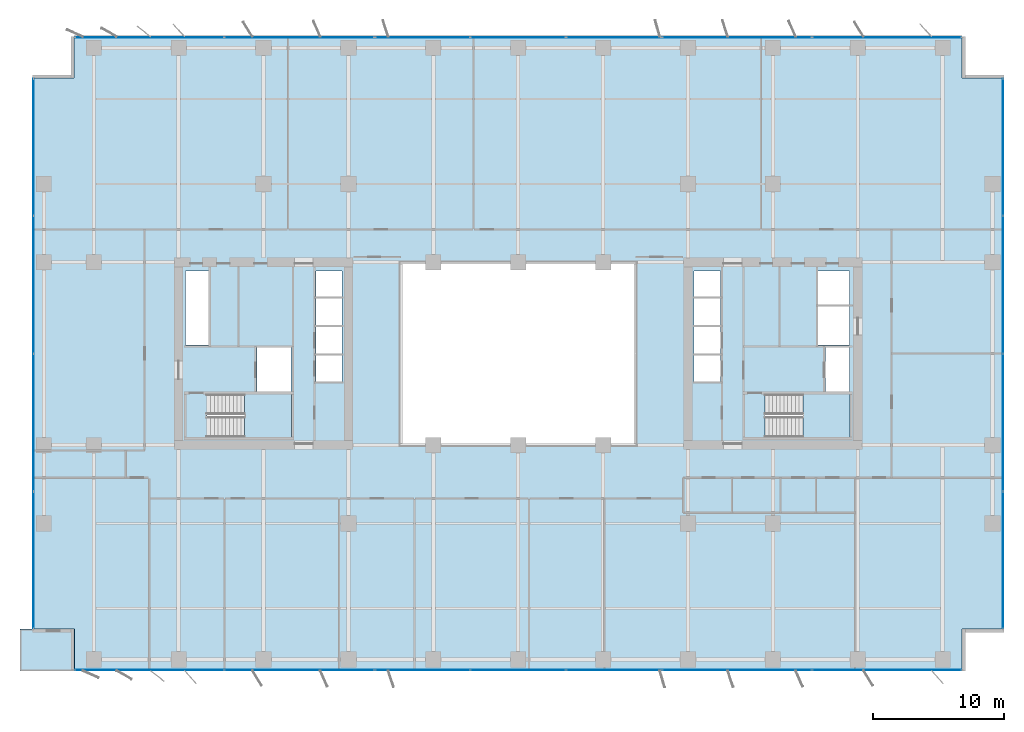
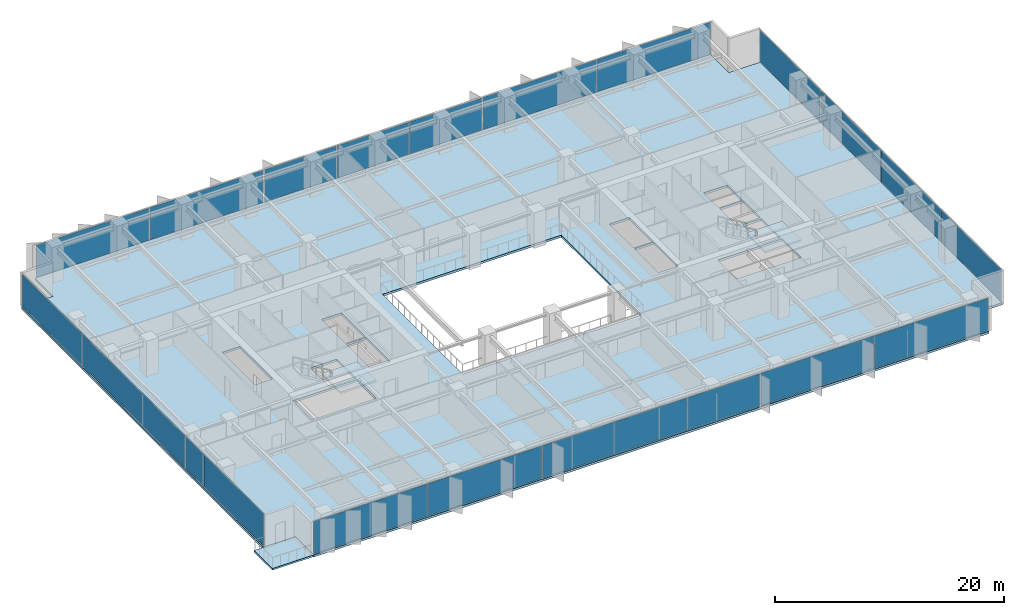
# One storey, part 12 of 20: 22 plates, 4 slabs, 10 elements without a shape of their own.
"""IFC4 building model written with IfcOpenShell, lengths in metres."""

from ifc_helpers import new_model, si_unit, direction, frame, origin, origin_2d, place, context, subcontext, project, spatial, polyline, rectangle, outline, extrude, material, layer, layer_set, type_object, element, aggregate, save


model = new_model("IFC4")

# Units and contexts
model_context = context("Model", 3, precision=1e-05, world=origin(), true_north=direction((0.0, 1.0)))
body_context = subcontext(model_context, "Body", "Model", "MODEL_VIEW")
ifc_project = project(units=[si_unit("LENGTHUNIT", "METRE"), si_unit("AREAUNIT", "SQUARE_METRE"), si_unit("VOLUMEUNIT", "CUBIC_METRE"), si_unit("PLANEANGLEUNIT", "RADIAN"), si_unit("MASSUNIT", "GRAM", prefix="KILO")], contexts=[model_context])

# Site, building, storey
site_placement = place(None, origin())
site = spatial("IfcSite", under=ifc_project, at=site_placement, CompositionType="ELEMENT")
building_placement = place(site_placement, origin())
building = spatial("IfcBuilding", under=site, at=building_placement, Name="Putna Gate Headquarters", CompositionType="ELEMENT")
storey_placement = place(building_placement, frame((0.0, 0.0, 93.60009765625)))
storey = spatial("IfcBuildingStorey", under=building, at=storey_placement, Name="L22", CompositionType="ELEMENT", Elevation=93.60009765625)

# Stair, slab
ifc_material_1 = material(Name="Concrete C40/50", Category="concrete")
stair_type_1 = type_object("IfcStairType", Name="STAIR-ST1", PredefinedType="HALF_TURN_STAIR", material=ifc_material_1)
stair_1_placement = place(storey_placement, origin())
stair_1 = element("IfcStair", 1, at=stair_1_placement, inside=storey, type_object=stair_type_1, Name="L22 West Core Exit Stair ST1", PredefinedType="HALF_TURN_STAIR")
ifc_layer_1 = layer(ifc_material_1, 0.199951171875)
ifc_layer_set_1 = layer_set([ifc_layer_1], Name="Concrete C40/50")
slab_type_1 = type_object("IfcSlabType", Name="LANDING-ST1", PredefinedType="LANDING", material=ifc_layer_set_1)
slab_1_placement = place(storey_placement, frame((0.0, 0.0, 1.699951171875)))
slab_1 = element("IfcSlab", 2, at=slab_1_placement, type_object=slab_type_1, Name="ST1 landing 1", PredefinedType="LANDING", context=body_context, shape_type="SweptSolid", body=[
    extrude(outline(polyline([(18.050048828125, 19.60009765625), (21.64990234375, 19.60009765625), (21.64990234375, 22.89990234375), (18.050048828125, 22.89990234375), (18.050048828125, 19.60009765625)])), origin(), (0.0, 0.0, 1.0), 0.199951171875),
])
aggregate(stair_1, [slab_1])

stair_type_2 = type_object("IfcStairType", Name="STAIR-ST2", PredefinedType="HALF_TURN_STAIR", material=ifc_material_1)
stair_2_placement = place(storey_placement, origin())
stair_2 = element("IfcStair", 3, at=stair_2_placement, inside=storey, type_object=stair_type_2, Name="L22 East Core Exit Stair ST2", PredefinedType="HALF_TURN_STAIR")
ifc_layer_2 = layer(ifc_material_1, 0.199951171875)
ifc_layer_set_2 = layer_set([ifc_layer_2], Name="Concrete C40/50")
slab_type_2 = type_object("IfcSlabType", Name="LANDING-ST2", PredefinedType="LANDING", material=ifc_layer_set_2)
slab_2_placement = place(storey_placement, frame((0.0, 0.0, 1.699951171875)))
slab_2 = element("IfcSlab", 4, at=slab_2_placement, type_object=slab_type_2, Name="ST2 landing 1", PredefinedType="LANDING", context=body_context, shape_type="SweptSolid", body=[
    extrude(outline(polyline([(60.800048828125, 19.60009765625), (64.39990234375, 19.60009765625), (64.39990234375, 22.89990234375), (60.800048828125, 22.89990234375), (60.800048828125, 19.60009765625)])), origin(), (0.0, 0.0, 1.0), 0.199951171875),
])
aggregate(stair_2, [slab_2])

# Curtain wall, plates
ifc_material_2 = material(Name="Anodised bronze aluminium curtain wall", Category="aluminium")
ifc_layer_3 = layer(ifc_material_2, 0.159912109375)
ifc_layer_set_3 = layer_set([ifc_layer_3], Name="Anodised bronze aluminium curtain wall")
curtain_wall_type_1 = type_object("IfcCurtainWallType", Name="CW-SYS-Z2", PredefinedType="USERDEFINED", material=ifc_layer_set_3)
curtain_wall_1_placement = place(storey_placement, origin())
curtain_wall_1 = element("IfcCurtainWall", 5, at=curtain_wall_1_placement, inside=storey, type_object=curtain_wall_type_1, Name="L22 South West Curtain Wall", ObjectType="STICK CURTAIN WALL", PredefinedType="USERDEFINED")
ifc_material_3 = material(Name="Solar-control triple low-E glass", Category="glass")
ifc_layer_4 = layer(ifc_material_3, 0.030029296875)
ifc_layer_set_4 = layer_set([ifc_layer_4], Name="Solar-control triple low-E glass")
plate_type_1 = type_object("IfcPlateType", Name="PAN-CWP-2", PredefinedType="CURTAIN_PANEL", material=ifc_layer_set_4)
plate_1_placement = place(storey_placement, frame((10.766357421875, 1.780029296875, 0.06494140625), z_axis=(0.0, 0.0, 1.0), x_axis=(1.0, 0.0, 0.0)))
plate_1 = element("IfcPlate", 6, at=plate_1_placement, type_object=plate_type_1, Name="CWS-2 panel 1.1", PredefinedType="CURTAIN_PANEL", context=body_context, shape_type="SweptSolid", body=[
    extrude(rectangle(XDim=11.402587890625, YDim=0.030029296875, at=origin_2d()), origin(), (0.0, 0.0, 1.0), 3.43505859375),
])
plate_2_placement = place(storey_placement, frame((22.233642578125, 1.780029296875, 0.06494140625), z_axis=(0.0, 0.0, 1.0), x_axis=(1.0, 0.0, 0.0)))
plate_2 = element("IfcPlate", 7, at=plate_2_placement, type_object=plate_type_1, Name="CWS-2 panel 2.1", PredefinedType="CURTAIN_PANEL", context=body_context, shape_type="SweptSolid", body=[
    extrude(rectangle(XDim=11.402587890625, YDim=0.030029296875, at=origin_2d()), origin(), (0.0, 0.0, 1.0), 3.43505859375),
])
aggregate(curtain_wall_1, [plate_1, plate_2])

curtain_wall_2_placement = place(storey_placement, origin())
curtain_wall_2 = element("IfcCurtainWall", 8, at=curtain_wall_2_placement, inside=storey, type_object=curtain_wall_type_1, Name="L22 South East Curtain Wall", ObjectType="STICK CURTAIN WALL", PredefinedType="USERDEFINED")
plate_3_placement = place(storey_placement, frame((55.766357421875, 1.780029296875, 0.06494140625), z_axis=(0.0, 0.0, 1.0), x_axis=(1.0, 0.0, 0.0)))
plate_3 = element("IfcPlate", 9, at=plate_3_placement, type_object=plate_type_1, Name="CWS-2 panel 1.1", PredefinedType="CURTAIN_PANEL", context=body_context, shape_type="SweptSolid", body=[
    extrude(rectangle(XDim=11.402587890625, YDim=0.030029296875, at=origin_2d()), origin(), (0.0, 0.0, 1.0), 3.43505859375),
])
plate_4_placement = place(storey_placement, frame((67.233642578125, 1.780029296875, 0.06494140625), z_axis=(0.0, 0.0, 1.0), x_axis=(1.0, 0.0, 0.0)))
plate_4 = element("IfcPlate", 10, at=plate_4_placement, type_object=plate_type_1, Name="CWS-2 panel 2.1", PredefinedType="CURTAIN_PANEL", context=body_context, shape_type="SweptSolid", body=[
    extrude(rectangle(XDim=11.402587890625, YDim=0.030029296875, at=origin_2d()), origin(), (0.0, 0.0, 1.0), 3.43505859375),
])
aggregate(curtain_wall_2, [plate_3, plate_4])

curtain_wall_3_placement = place(storey_placement, origin())
curtain_wall_3 = element("IfcCurtainWall", 11, at=curtain_wall_3_placement, inside=storey, type_object=curtain_wall_type_1, Name="L22 North West Curtain Wall", ObjectType="STICK CURTAIN WALL", PredefinedType="USERDEFINED")
plate_5_placement = place(storey_placement, frame((10.766357421875, 50.219970703125, 0.06494140625), z_axis=(0.0, 0.0, 1.0), x_axis=(1.0, 0.0, 0.0)))
plate_5 = element("IfcPlate", 12, at=plate_5_placement, type_object=plate_type_1, Name="CWS-2 panel 1.1", PredefinedType="CURTAIN_PANEL", context=body_context, shape_type="SweptSolid", body=[
    extrude(rectangle(XDim=11.402587890625, YDim=0.030029296875, at=origin_2d()), origin(), (0.0, 0.0, 1.0), 3.43505859375),
])
plate_6_placement = place(storey_placement, frame((22.233642578125, 50.219970703125, 0.06494140625), z_axis=(0.0, 0.0, 1.0), x_axis=(1.0, 0.0, 0.0)))
plate_6 = element("IfcPlate", 13, at=plate_6_placement, type_object=plate_type_1, Name="CWS-2 panel 2.1", PredefinedType="CURTAIN_PANEL", context=body_context, shape_type="SweptSolid", body=[
    extrude(rectangle(XDim=11.402587890625, YDim=0.030029296875, at=origin_2d()), origin(), (0.0, 0.0, 1.0), 3.43505859375),
])
aggregate(curtain_wall_3, [plate_5, plate_6])

curtain_wall_4_placement = place(storey_placement, origin())
curtain_wall_4 = element("IfcCurtainWall", 14, at=curtain_wall_4_placement, inside=storey, type_object=curtain_wall_type_1, Name="L22 North East Curtain Wall", ObjectType="STICK CURTAIN WALL", PredefinedType="USERDEFINED")
plate_7_placement = place(storey_placement, frame((55.766357421875, 50.219970703125, 0.06494140625), z_axis=(0.0, 0.0, 1.0), x_axis=(1.0, 0.0, 0.0)))
plate_7 = element("IfcPlate", 15, at=plate_7_placement, type_object=plate_type_1, Name="CWS-2 panel 1.1", PredefinedType="CURTAIN_PANEL", context=body_context, shape_type="SweptSolid", body=[
    extrude(rectangle(XDim=11.402587890625, YDim=0.030029296875, at=origin_2d()), origin(), (0.0, 0.0, 1.0), 3.43505859375),
])
plate_8_placement = place(storey_placement, frame((67.233642578125, 50.219970703125, 0.06494140625), z_axis=(0.0, 0.0, 1.0), x_axis=(1.0, 0.0, 0.0)))
plate_8 = element("IfcPlate", 16, at=plate_8_placement, type_object=plate_type_1, Name="CWS-2 panel 2.1", PredefinedType="CURTAIN_PANEL", context=body_context, shape_type="SweptSolid", body=[
    extrude(rectangle(XDim=11.402587890625, YDim=0.030029296875, at=origin_2d()), origin(), (0.0, 0.0, 1.0), 3.43505859375),
])
aggregate(curtain_wall_4, [plate_7, plate_8])

curtain_wall_5_placement = place(storey_placement, origin())
curtain_wall_5 = element("IfcCurtainWall", 17, at=curtain_wall_5_placement, inside=storey, type_object=curtain_wall_type_1, Name="L22 West Curtain Wall", ObjectType="STICK CURTAIN WALL", PredefinedType="USERDEFINED")
plate_9_placement = place(storey_placement, frame((1.8798828125, 10.191162109375, 0.06494140625), z_axis=(0.0, 0.0, 1.0), x_axis=(0.0, 1.0, 0.0)))
plate_9 = element("IfcPlate", 18, at=plate_9_placement, type_object=plate_type_1, Name="CWS-2 panel 1.1", PredefinedType="CURTAIN_PANEL", context=body_context, shape_type="SweptSolid", body=[
    extrude(rectangle(XDim=10.452392578125, YDim=0.030029296875, at=origin_2d()), origin(), (0.0, 0.0, 1.0), 3.43505859375),
])
plate_10_placement = place(storey_placement, frame((1.8798828125, 20.72509765625, 0.06494140625), z_axis=(0.0, 0.0, 1.0), x_axis=(0.0, 1.0, 0.0)))
plate_10 = element("IfcPlate", 19, at=plate_10_placement, type_object=plate_type_1, Name="CWS-2 panel 2.1", PredefinedType="CURTAIN_PANEL", context=body_context, shape_type="SweptSolid", body=[
    extrude(rectangle(XDim=10.485107421875, YDim=0.030029296875, at=origin_2d()), origin(), (0.0, 0.0, 1.0), 3.43505859375),
])
plate_11_placement = place(storey_placement, frame((1.8798828125, 31.27490234375, 0.06494140625), z_axis=(0.0, 0.0, 1.0), x_axis=(0.0, 1.0, 0.0)))
plate_11 = element("IfcPlate", 20, at=plate_11_placement, type_object=plate_type_1, Name="CWS-2 panel 3.1", PredefinedType="CURTAIN_PANEL", context=body_context, shape_type="SweptSolid", body=[
    extrude(rectangle(XDim=10.485107421875, YDim=0.030029296875, at=origin_2d()), origin(), (0.0, 0.0, 1.0), 3.43505859375),
])
plate_12_placement = place(storey_placement, frame((1.8798828125, 41.808837890625, 0.06494140625), z_axis=(0.0, 0.0, 1.0), x_axis=(0.0, 1.0, 0.0)))
plate_12 = element("IfcPlate", 21, at=plate_12_placement, type_object=plate_type_1, Name="CWS-2 panel 4.1", PredefinedType="CURTAIN_PANEL", context=body_context, shape_type="SweptSolid", body=[
    extrude(rectangle(XDim=10.452392578125, YDim=0.030029296875, at=origin_2d()), origin(), (0.0, 0.0, 1.0), 3.43505859375),
])
aggregate(curtain_wall_5, [plate_9, plate_10, plate_11, plate_12])

curtain_wall_6_placement = place(storey_placement, origin())
curtain_wall_6 = element("IfcCurtainWall", 22, at=curtain_wall_6_placement, inside=storey, type_object=curtain_wall_type_1, Name="L22 East Curtain Wall", ObjectType="STICK CURTAIN WALL", PredefinedType="USERDEFINED")
plate_13_placement = place(storey_placement, frame((76.1201171875, 10.191162109375, 0.06494140625), z_axis=(0.0, 0.0, 1.0), x_axis=(0.0, 1.0, 0.0)))
plate_13 = element("IfcPlate", 23, at=plate_13_placement, type_object=plate_type_1, Name="CWS-2 panel 1.1", PredefinedType="CURTAIN_PANEL", context=body_context, shape_type="SweptSolid", body=[
    extrude(rectangle(XDim=10.452392578125, YDim=0.030029296875, at=origin_2d()), origin(), (0.0, 0.0, 1.0), 3.43505859375),
])
plate_14_placement = place(storey_placement, frame((76.1201171875, 20.72509765625, 0.06494140625), z_axis=(0.0, 0.0, 1.0), x_axis=(0.0, 1.0, 0.0)))
plate_14 = element("IfcPlate", 24, at=plate_14_placement, type_object=plate_type_1, Name="CWS-2 panel 2.1", PredefinedType="CURTAIN_PANEL", context=body_context, shape_type="SweptSolid", body=[
    extrude(rectangle(XDim=10.485107421875, YDim=0.030029296875, at=origin_2d()), origin(), (0.0, 0.0, 1.0), 3.43505859375),
])
plate_15_placement = place(storey_placement, frame((76.1201171875, 31.27490234375, 0.06494140625), z_axis=(0.0, 0.0, 1.0), x_axis=(0.0, 1.0, 0.0)))
plate_15 = element("IfcPlate", 25, at=plate_15_placement, type_object=plate_type_1, Name="CWS-2 panel 3.1", PredefinedType="CURTAIN_PANEL", context=body_context, shape_type="SweptSolid", body=[
    extrude(rectangle(XDim=10.485107421875, YDim=0.030029296875, at=origin_2d()), origin(), (0.0, 0.0, 1.0), 3.43505859375),
])
plate_16_placement = place(storey_placement, frame((76.1201171875, 41.808837890625, 0.06494140625), z_axis=(0.0, 0.0, 1.0), x_axis=(0.0, 1.0, 0.0)))
plate_16 = element("IfcPlate", 26, at=plate_16_placement, type_object=plate_type_1, Name="CWS-2 panel 4.1", PredefinedType="CURTAIN_PANEL", context=body_context, shape_type="SweptSolid", body=[
    extrude(rectangle(XDim=10.452392578125, YDim=0.030029296875, at=origin_2d()), origin(), (0.0, 0.0, 1.0), 3.43505859375),
])
aggregate(curtain_wall_6, [plate_13, plate_14, plate_15, plate_16])

ifc_layer_5 = layer(ifc_material_2, 0.179931640625)
ifc_layer_set_5 = layer_set([ifc_layer_5], Name="Anodised bronze aluminium curtain wall")
curtain_wall_type_2 = type_object("IfcCurtainWallType", Name="CW-SYS-ATR", PredefinedType="USERDEFINED", material=ifc_layer_set_5)
curtain_wall_7_placement = place(storey_placement, origin())
curtain_wall_7 = element("IfcCurtainWall", 27, at=curtain_wall_7_placement, inside=storey, type_object=curtain_wall_type_2, Name="L22 South Atrium Clear Glazing", ObjectType="ATRIUM GLAZING", PredefinedType="USERDEFINED")
ifc_material_4 = material(Name="Clear low-iron triple glazing", Category="glass")
ifc_layer_6 = layer(ifc_material_4, 0.0400390625)
ifc_layer_set_6 = layer_set([ifc_layer_6], Name="Clear low-iron triple glazing")
plate_type_2 = type_object("IfcPlateType", Name="PAN-CWP-AT", PredefinedType="CURTAIN_PANEL", material=ifc_layer_set_6)
plate_17_placement = place(storey_placement, frame((31.68408203125, 1.780029296875, 0.06982421875), z_axis=(0.0, 0.0, 1.0), x_axis=(1.0, 0.0, 0.0)))
plate_17 = element("IfcPlate", 28, at=plate_17_placement, type_object=plate_type_2, Name="CWS-AT panel 1.1", PredefinedType="CURTAIN_PANEL", context=body_context, shape_type="SweptSolid", body=[
    extrude(rectangle(XDim=7.228271484375, YDim=0.0400390625, at=origin_2d()), origin(), (0.0, 0.0, 1.0), 3.425048828125),
])
plate_18_placement = place(storey_placement, frame((39.0, 1.780029296875, 0.06982421875), z_axis=(0.0, 0.0, 1.0), x_axis=(1.0, 0.0, 0.0)))
plate_18 = element("IfcPlate", 29, at=plate_18_placement, type_object=plate_type_2, Name="CWS-AT panel 2.1", PredefinedType="CURTAIN_PANEL", context=body_context, shape_type="SweptSolid", body=[
    extrude(rectangle(XDim=7.263427734375, YDim=0.0400390625, at=origin_2d()), origin(), (0.0, 0.0, 1.0), 3.425048828125),
])
plate_19_placement = place(storey_placement, frame((46.31591796875, 1.780029296875, 0.06982421875), z_axis=(0.0, 0.0, 1.0), x_axis=(1.0, 0.0, 0.0)))
plate_19 = element("IfcPlate", 30, at=plate_19_placement, type_object=plate_type_2, Name="CWS-AT panel 3.1", PredefinedType="CURTAIN_PANEL", context=body_context, shape_type="SweptSolid", body=[
    extrude(rectangle(XDim=7.228271484375, YDim=0.0400390625, at=origin_2d()), origin(), (0.0, 0.0, 1.0), 3.425048828125),
])
aggregate(curtain_wall_7, [plate_17, plate_18, plate_19])

curtain_wall_8_placement = place(storey_placement, origin())
curtain_wall_8 = element("IfcCurtainWall", 31, at=curtain_wall_8_placement, inside=storey, type_object=curtain_wall_type_2, Name="L22 North Atrium Clear Glazing", ObjectType="ATRIUM GLAZING", PredefinedType="USERDEFINED")
plate_20_placement = place(storey_placement, frame((31.68408203125, 50.219970703125, 0.06982421875), z_axis=(0.0, 0.0, 1.0), x_axis=(1.0, 0.0, 0.0)))
plate_20 = element("IfcPlate", 32, at=plate_20_placement, type_object=plate_type_2, Name="CWS-AT panel 1.1", PredefinedType="CURTAIN_PANEL", context=body_context, shape_type="SweptSolid", body=[
    extrude(rectangle(XDim=7.228271484375, YDim=0.0400390625, at=origin_2d()), origin(), (0.0, 0.0, 1.0), 3.425048828125),
])
plate_21_placement = place(storey_placement, frame((39.0, 50.219970703125, 0.06982421875), z_axis=(0.0, 0.0, 1.0), x_axis=(1.0, 0.0, 0.0)))
plate_21 = element("IfcPlate", 33, at=plate_21_placement, type_object=plate_type_2, Name="CWS-AT panel 2.1", PredefinedType="CURTAIN_PANEL", context=body_context, shape_type="SweptSolid", body=[
    extrude(rectangle(XDim=7.263427734375, YDim=0.0400390625, at=origin_2d()), origin(), (0.0, 0.0, 1.0), 3.425048828125),
])
plate_22_placement = place(storey_placement, frame((46.31591796875, 50.219970703125, 0.06982421875), z_axis=(0.0, 0.0, 1.0), x_axis=(1.0, 0.0, 0.0)))
plate_22 = element("IfcPlate", 34, at=plate_22_placement, type_object=plate_type_2, Name="CWS-AT panel 3.1", PredefinedType="CURTAIN_PANEL", context=body_context, shape_type="SweptSolid", body=[
    extrude(rectangle(XDim=7.228271484375, YDim=0.0400390625, at=origin_2d()), origin(), (0.0, 0.0, 1.0), 3.425048828125),
])
aggregate(curtain_wall_8, [plate_20, plate_21, plate_22])

# Slabs
ifc_layer_7 = layer(ifc_material_1, 0.179931640625)
ifc_layer_set_7 = layer_set([ifc_layer_7], Name="Concrete C40/50")
slab_type_3 = type_object("IfcSlabType", Name="SLAB-TERRACE-180", PredefinedType="FLOOR", material=ifc_layer_set_7)
slab_3_placement = place(storey_placement, frame((0.0, 0.0, -0.18017578125)))
element("IfcSlab", 35, at=slab_3_placement, inside=storey, type_object=slab_type_3, Name="L22 Spiral Sky-Garden Terrace Slab (SW)", PredefinedType="FLOOR", context=body_context, shape_type="SweptSolid", body=[
    extrude(outline(polyline([(0.85009765625, 1.699951171875), (5.008056640625, 1.699951171875), (5.008056640625, 4.907958984375), (0.85009765625, 4.907958984375), (0.85009765625, 1.699951171875)])), origin(), (0.0, 0.0, 1.0), 0.18017578125),
])
ifc_layer_8 = layer(ifc_material_1, 0.235107421875)
ifc_layer_set_8 = layer_set([ifc_layer_8], Name="Concrete C40/50")
slab_type_4 = type_object("IfcSlabType", Name="SLAB-Z2-235", PredefinedType="FLOOR", material=ifc_layer_set_8)
slab_4_placement = place(storey_placement, frame((0.0, 0.0, -0.235107421875)))
element("IfcSlab", 36, at=slab_4_placement, inside=storey, type_object=slab_type_4, Name="L22 Composite Floor Slab", PredefinedType="FLOOR", context=body_context, shape_type="SweptSolid", body=[
    extrude(outline(polyline([(5.0, 1.699951171875), (73.0, 1.699951171875), (73.0, 4.89990234375), (76.199951171875, 4.89990234375), (76.199951171875, 47.10009765625), (73.0, 47.10009765625), (73.0, 50.300048828125), (5.0, 50.300048828125), (5.0, 47.10009765625), (1.800048828125, 47.10009765625), (1.800048828125, 4.89990234375), (5.0, 4.89990234375), (5.0, 1.699951171875)]), holes=[polyline([(15.1650390625, 19.60009765625), (21.64990234375, 19.60009765625), (21.64990234375, 22.89990234375), (15.1650390625, 22.89990234375), (15.1650390625, 19.60009765625)]), polyline([(57.9150390625, 19.60009765625), (64.39990234375, 19.60009765625), (64.39990234375, 22.89990234375), (57.9150390625, 22.89990234375), (57.9150390625, 19.60009765625)]), polyline([(13.52001953125, 26.659912109375), (15.280029296875, 26.659912109375), (15.280029296875, 32.35009765625), (13.52001953125, 32.35009765625), (13.52001953125, 26.659912109375)]), polyline([(61.969970703125, 29.780029296875), (64.35009765625, 29.780029296875), (64.35009765625, 32.35009765625), (61.969970703125, 32.35009765625), (61.969970703125, 29.780029296875)]), polyline([(18.97998046875, 23.1201171875), (21.6201171875, 23.1201171875), (21.6201171875, 26.4599609375), (18.97998046875, 26.4599609375), (18.97998046875, 23.1201171875)]), polyline([(62.52001953125, 23.1201171875), (64.35009765625, 23.1201171875), (64.35009765625, 26.4599609375), (62.52001953125, 26.4599609375), (62.52001953125, 23.1201171875)]), polyline([(61.969970703125, 26.659912109375), (64.35009765625, 26.659912109375), (64.35009765625, 29.6201171875), (61.969970703125, 29.6201171875), (61.969970703125, 26.659912109375)]), polyline([(23.5, 23.860107421875), (25.5, 23.860107421875), (25.5, 28.0400390625), (23.5, 28.0400390625), (23.5, 23.860107421875)]), polyline([(52.47998046875, 23.860107421875), (54.5, 23.860107421875), (54.5, 28.0400390625), (52.47998046875, 28.0400390625), (52.47998046875, 23.860107421875)]), polyline([(23.5, 28.199951171875), (25.5, 28.199951171875), (25.5, 32.35009765625), (23.5, 32.35009765625), (23.5, 28.199951171875)]), polyline([(52.47998046875, 28.199951171875), (54.5, 28.199951171875), (54.5, 32.35009765625), (52.47998046875, 32.35009765625), (52.47998046875, 28.199951171875)]), polyline([(30.0, 19.0), (48.0, 19.0), (48.0, 33.0), (30.0, 33.0), (30.0, 19.0)])]), origin(), (0.0, 0.0, 1.0), 0.235107421875),
])

save(model, "model.ifc")
